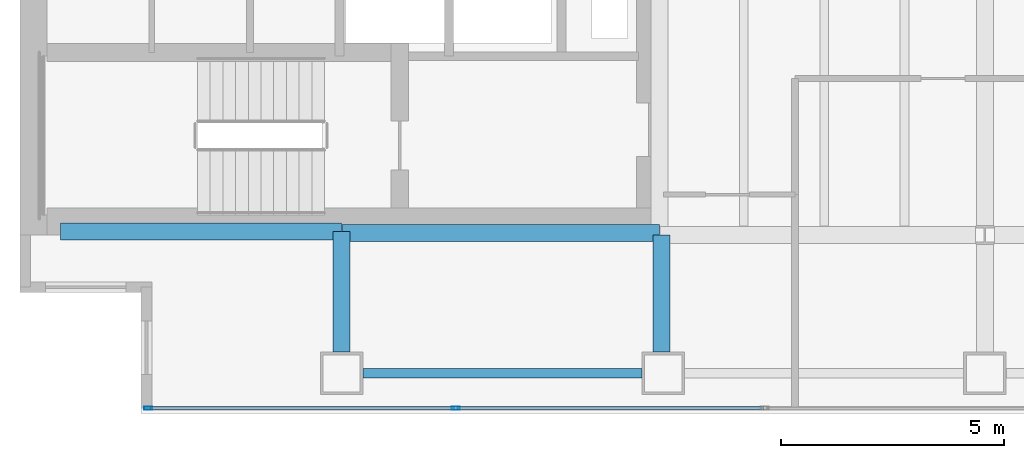
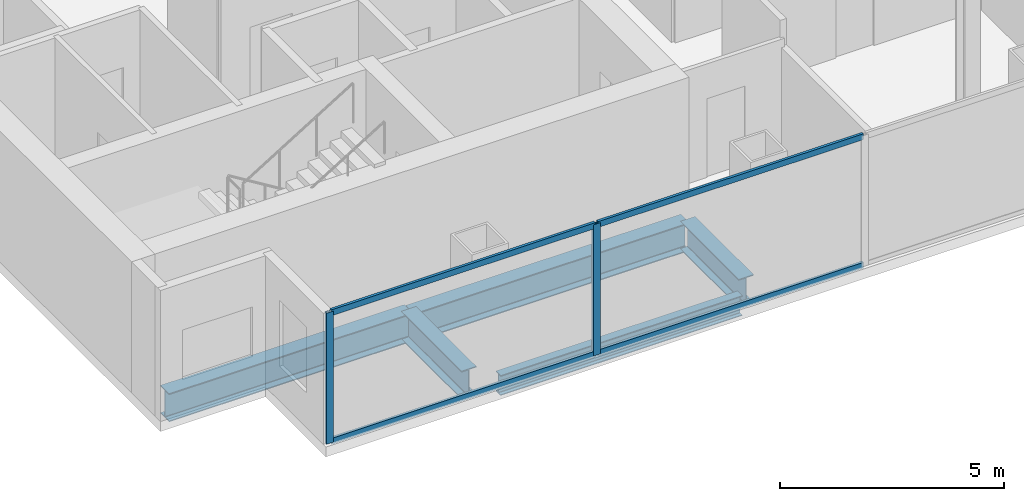
# One storey, part 2 of 23: 6 members, 5 beams, 1 element without a shape of its own.
"""IFC4 building model written with IfcOpenShell, lengths in metres."""

from ifc_helpers import new_model, si_unit, direction, frame, origin, origin_2d, place, context, subcontext, project, spatial, hollow_rectangle, i_section, extrude, material, material_profile, profile_set, type_object, element, aggregate, save


model = new_model("IFC4")

# Units and contexts
model_context = context("Model", 3, precision=1e-05, world=origin(), true_north=direction((0.0, 1.0)))
body_context = subcontext(model_context, "Body", "Model", "MODEL_VIEW")
ifc_project = project(units=[si_unit("LENGTHUNIT", "METRE"), si_unit("AREAUNIT", "SQUARE_METRE"), si_unit("VOLUMEUNIT", "CUBIC_METRE"), si_unit("PLANEANGLEUNIT", "RADIAN"), si_unit("MASSUNIT", "GRAM", prefix="KILO")], contexts=[model_context])

# Site, building, storey
site_placement = place(None, origin())
site = spatial("IfcSite", under=ifc_project, at=site_placement, CompositionType="ELEMENT")
building_placement = place(site_placement, origin())
building = spatial("IfcBuilding", under=site, at=building_placement, Name="Cobrela Telecom Tower", CompositionType="ELEMENT")
storey_placement = place(building_placement, frame((0.0, 0.0, 113.75)))
storey = spatial("IfcBuildingStorey", under=building, at=storey_placement, Name="L28", CompositionType="ELEMENT", Elevation=113.75)

# Beams
ifc_material_1 = material(Name="Steel ASTM A992 Grade 50", Category="steel")
ifc_material_profile_1 = material_profile(ifc_material_1, i_section(OverallWidth=0.381103515625, OverallDepth=0.77197265625, WebThickness=0.0166015625, FlangeThickness=0.027099609375, FilletRadius=0.01904296875, at=origin_2d()), Name="W30X173")
ifc_profile_set_1 = profile_set([ifc_material_profile_1], Name="Steel ASTM A992 Grade 50")
beam_type_1 = type_object("IfcBeamType", Name="BM-GIRD-04", PredefinedType="USERDEFINED", material=ifc_profile_set_1)
beam_1_placement = place(storey_placement, frame((0.905029296875, 7.280029296875, -0.656005859375), z_axis=(1.0, 0.0, 0.0), x_axis=(0.0, 1.0, 0.0)))
element("IfcBeam", 1, at=beam_1_placement, inside=storey, type_object=beam_type_1, Name="L28 Primary Girder X06", ObjectType="GIRDER", PredefinedType="USERDEFINED", context=body_context, shape_type="SweptSolid", body=[
    extrude(i_section(OverallWidth=0.381103515625, OverallDepth=0.77197265625, WebThickness=0.0166015625, FlangeThickness=0.027099609375, FilletRadius=0.01904296875, at=origin_2d()), origin(), (0.0, 0.0, 1.0), 6.2900390625),
])
beam_2_placement = place(storey_placement, frame((7.205078125, 7.239990234375, -0.656005859375), z_axis=(1.0, 0.0, 0.0), x_axis=(0.0, 1.0, 0.0)))
element("IfcBeam", 2, at=beam_2_placement, inside=storey, type_object=beam_type_1, Name="L28 Primary Girder X07", ObjectType="GIRDER", PredefinedType="USERDEFINED", context=body_context, shape_type="SweptSolid", body=[
    extrude(i_section(OverallWidth=0.381103515625, OverallDepth=0.77197265625, WebThickness=0.0166015625, FlangeThickness=0.027099609375, FilletRadius=0.01904296875, at=origin_2d()), origin(), (0.0, 0.0, 1.0), 7.10986328125),
])
beam_3_placement = place(storey_placement, frame((7.199951171875, 4.580078125, -0.656005859375), z_axis=(0.0, 1.0, 0.0), x_axis=(-1.0, 0.0, 0.0)))
element("IfcBeam", 3, at=beam_3_placement, inside=storey, type_object=beam_type_1, Name="L28 Primary Girder Y31", ObjectType="GIRDER", PredefinedType="USERDEFINED", context=body_context, shape_type="SweptSolid", body=[
    extrude(i_section(OverallWidth=0.381103515625, OverallDepth=0.77197265625, WebThickness=0.0166015625, FlangeThickness=0.027099609375, FilletRadius=0.01904296875, at=origin_2d()), origin(), (0.0, 0.0, 1.0), 2.69482421875),
])
beam_4_placement = place(storey_placement, frame((14.360107421875, 4.580078125, -0.656005859375), z_axis=(0.0, 1.0, 0.0), x_axis=(-1.0, 0.0, 0.0)))
element("IfcBeam", 4, at=beam_4_placement, inside=storey, type_object=beam_type_1, Name="L28 Primary Girder Y33", ObjectType="GIRDER", PredefinedType="USERDEFINED", context=body_context, shape_type="SweptSolid", body=[
    extrude(i_section(OverallWidth=0.381103515625, OverallDepth=0.77197265625, WebThickness=0.0166015625, FlangeThickness=0.027099609375, FilletRadius=0.01904296875, at=origin_2d()), origin(), (0.0, 0.0, 1.0), 2.614990234375),
])
ifc_material_profile_2 = material_profile(ifc_material_1, i_section(OverallWidth=0.212890625, OverallDepth=0.549072265625, WebThickness=0.0146484375, FlangeThickness=0.023681640625, FilletRadius=0.013916015625, at=origin_2d()), Name="W21X93")
ifc_profile_set_2 = profile_set([ifc_material_profile_2], Name="Steel ASTM A992 Grade 50")
beam_type_2 = type_object("IfcBeamType", Name="BM-SPAND-03", PredefinedType="SPANDREL", material=ifc_profile_set_2)
beam_5_placement = place(storey_placement, frame((7.679931640625, 4.10009765625, -0.54443359375), z_axis=(1.0, 0.0, 0.0), x_axis=(0.0, 1.0, 0.0)))
element("IfcBeam", 5, at=beam_5_placement, inside=storey, type_object=beam_type_2, Name="L28 Perimeter Spandrel X01", PredefinedType="SPANDREL", context=body_context, shape_type="SweptSolid", body=[
    extrude(i_section(OverallWidth=0.212890625, OverallDepth=0.549072265625, WebThickness=0.0146484375, FlangeThickness=0.023681640625, FilletRadius=0.013916015625, at=origin_2d()), origin(), (0.0, 0.0, 1.0), 6.239990234375),
])

# Curtain wall, members
ifc_material_2 = material(Name="Anodized Bronze Aluminium 6063-T6", Category="aluminium")
curtain_wall_type = type_object("IfcCurtainWallType", Name="CW-SYS-TEL", PredefinedType="USERDEFINED", material=ifc_material_2)
curtain_wall_placement = place(storey_placement, origin())
curtain_wall = element("IfcCurtainWall", 6, at=curtain_wall_placement, inside=storey, type_object=curtain_wall_type, Name="L28 Unitised Bronze Curtain Wall 17", ObjectType="UNITISED CURTAIN WALL", PredefinedType="USERDEFINED")
ifc_material_profile_3 = material_profile(ifc_material_2, hollow_rectangle(XDim=0.074951171875, YDim=0.179931640625, WallThickness=0.00390625, at=origin_2d()), Name="ALU 75x180x4")
ifc_profile_set_3 = profile_set([ifc_material_profile_3], Name="Anodized Bronze Aluminium 6063-T6")
member_type_1 = type_object("IfcMemberType", Name="CW-SYS-TEL-MUL", PredefinedType="MULLION", material=ifc_profile_set_3)
member_1_placement = place(storey_placement, frame((9.75341796875, 3.320068359375, 0.0), z_axis=(0.0, 0.0, 1.0), x_axis=(0.0, -1.0, 0.0)))
member_1 = element("IfcMember", 7, at=member_1_placement, type_object=member_type_1, Name="CW-TEL mullion 6", PredefinedType="MULLION", context=body_context, shape_type="SweptSolid", body=[
    extrude(hollow_rectangle(XDim=0.074951171875, YDim=0.179931640625, WallThickness=0.00390625, at=origin_2d()), origin(), (0.0, 0.0, 1.0), 3.580078125),
])
member_2_placement = place(storey_placement, frame((2.867431640625, 3.320068359375, 0.0), z_axis=(0.0, 0.0, 1.0), x_axis=(0.0, -1.0, 0.0)))
member_2 = element("IfcMember", 8, at=member_2_placement, type_object=member_type_1, Name="CW-TEL mullion 7", PredefinedType="MULLION", context=body_context, shape_type="SweptSolid", body=[
    extrude(hollow_rectangle(XDim=0.074951171875, YDim=0.179931640625, WallThickness=0.00390625, at=origin_2d()), origin(), (0.0, 0.0, 1.0), 3.580078125),
])
ifc_material_profile_4 = material_profile(ifc_material_2, hollow_rectangle(XDim=0.070068359375, YDim=0.159912109375, WallThickness=0.00390625, at=origin_2d()), Name="ALU 70x160x4")
ifc_profile_set_4 = profile_set([ifc_material_profile_4], Name="Anodized Bronze Aluminium 6063-T6")
member_type_2 = type_object("IfcMemberType", Name="CW-SYS-TEL-TRN", PredefinedType="USERDEFINED", material=ifc_profile_set_4)
member_3_placement = place(storey_placement, frame((16.63916015625, 3.320068359375, 0.034912109375), z_axis=(-1.0, 0.0, 0.0), x_axis=(0.0, -1.0, 0.0)))
member_3 = element("IfcMember", 9, at=member_3_placement, type_object=member_type_2, Name="CW-TEL transom 5.1", ObjectType="TRANSOM", PredefinedType="USERDEFINED", context=body_context, shape_type="SweptSolid", body=[
    extrude(hollow_rectangle(XDim=0.070068359375, YDim=0.159912109375, WallThickness=0.00390625, at=origin_2d()), origin(), (0.0, 0.0, 1.0), 6.848388671875),
])
member_4_placement = place(storey_placement, frame((16.63916015625, 3.320068359375, 3.544921875), z_axis=(-1.0, 0.0, 0.0), x_axis=(0.0, -1.0, 0.0)))
member_4 = element("IfcMember", 10, at=member_4_placement, type_object=member_type_2, Name="CW-TEL transom 5.2", ObjectType="TRANSOM", PredefinedType="USERDEFINED", context=body_context, shape_type="SweptSolid", body=[
    extrude(hollow_rectangle(XDim=0.070068359375, YDim=0.159912109375, WallThickness=0.00390625, at=origin_2d()), origin(), (0.0, 0.0, 1.0), 6.848388671875),
])
member_5_placement = place(storey_placement, frame((9.7158203125, 3.320068359375, 0.034912109375), z_axis=(-1.0, 0.0, 0.0), x_axis=(0.0, -1.0, 0.0)))
member_5 = element("IfcMember", 11, at=member_5_placement, type_object=member_type_2, Name="CW-TEL transom 6.1", ObjectType="TRANSOM", PredefinedType="USERDEFINED", context=body_context, shape_type="SweptSolid", body=[
    extrude(hollow_rectangle(XDim=0.070068359375, YDim=0.159912109375, WallThickness=0.00390625, at=origin_2d()), origin(), (0.0, 0.0, 1.0), 6.810791015625),
])
member_6_placement = place(storey_placement, frame((9.7158203125, 3.320068359375, 3.544921875), z_axis=(-1.0, 0.0, 0.0), x_axis=(0.0, -1.0, 0.0)))
member_6 = element("IfcMember", 12, at=member_6_placement, type_object=member_type_2, Name="CW-TEL transom 6.2", ObjectType="TRANSOM", PredefinedType="USERDEFINED", context=body_context, shape_type="SweptSolid", body=[
    extrude(hollow_rectangle(XDim=0.070068359375, YDim=0.159912109375, WallThickness=0.00390625, at=origin_2d()), origin(), (0.0, 0.0, 1.0), 6.810791015625),
])
aggregate(curtain_wall, [member_1, member_2, member_3, member_4, member_5, member_6])

save(model, "model.ifc")
